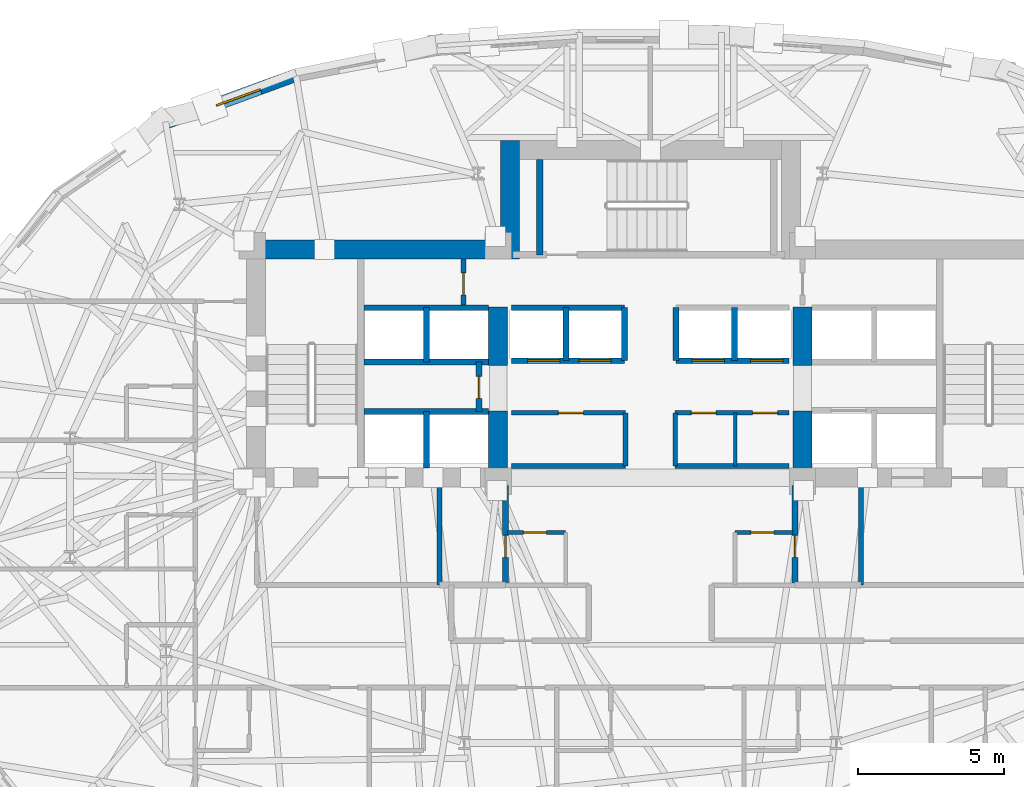
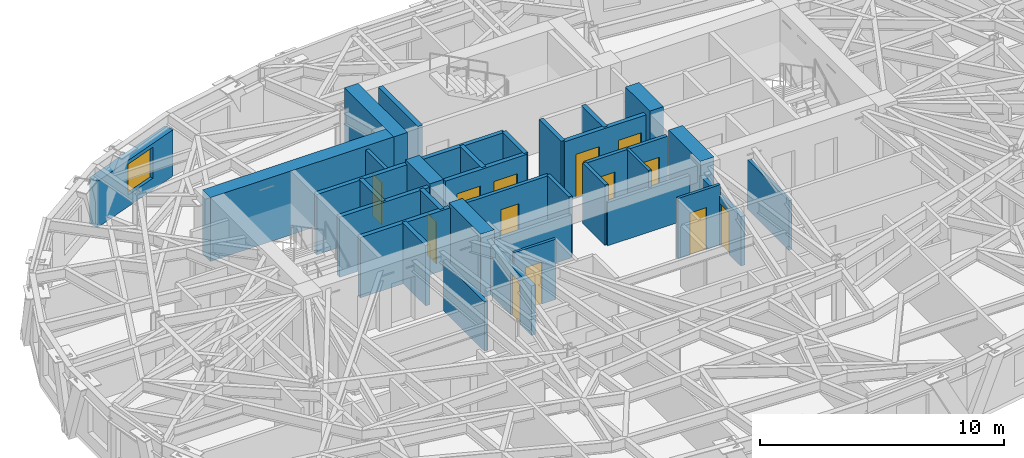
# One storey, part 8 of 15: 35 walls, 13 doors, 1 window, 14 openings.
"""IFC4 building model written with IfcOpenShell, lengths in metres."""

from ifc_helpers import new_model, si_unit, direction, frame, frame_2d, origin, place, context, subcontext, project, spatial, rectangle, extrude, material, layer, layer_set, type_object, element, fill, save


model = new_model("IFC4")

# Units and contexts
model_context = context("Model", 3, precision=1e-05, world=origin(), true_north=direction((0.0, 1.0)))
body_context = subcontext(model_context, "Body", "Model", "MODEL_VIEW")
ifc_project = project(units=[si_unit("LENGTHUNIT", "METRE"), si_unit("AREAUNIT", "SQUARE_METRE"), si_unit("VOLUMEUNIT", "CUBIC_METRE"), si_unit("PLANEANGLEUNIT", "RADIAN"), si_unit("MASSUNIT", "GRAM", prefix="KILO")], contexts=[model_context])

# Site, building, storey
site_placement = place(None, origin())
site = spatial("IfcSite", under=ifc_project, at=site_placement, CompositionType="ELEMENT")
building_placement = place(site_placement, origin())
building = spatial("IfcBuilding", under=site, at=building_placement, Name="Keldmark Tower", CompositionType="ELEMENT")
storey_placement = place(building_placement, frame((0.0, 0.0, 147.0)))
storey = spatial("IfcBuildingStorey", under=building, at=storey_placement, Name="L39", CompositionType="ELEMENT", Elevation=147.0)

# Wall, opening, door
ifc_material_1 = material(Name="Acoustic Gypsum Board Interior Partition", Category="gypsum")
ifc_layer_1 = layer(ifc_material_1, 0.1298828125)
ifc_layer_set_1 = layer_set([ifc_layer_1], Name="Acoustic Gypsum Board Interior Partition")
wall_type_1 = type_object("IfcWallType", Name="Interior Partition 130 mm", PredefinedType="PARTITIONING", material=ifc_layer_set_1)
wall_1_placement = place(storey_placement, frame((-4.8798828125, -0.35009765625, 0.0), z_axis=(0.0, 0.0, 1.0), x_axis=(1.0, 0.0, 0.0)))
wall_1 = element("IfcWall", 1, at=wall_1_placement, inside=storey, type_object=wall_type_1, Name="L39 Interior Partition 130 mm CSC-W-N", PredefinedType="PARTITIONING", context=body_context, shape_type="SweptSolid", body=[
    extrude(rectangle(XDim=1.989990234375, YDim=0.1298828125, at=frame_2d((0.9951171875, 0.0))), origin(), (0.0, 0.0, 1.0), 3.02001953125),
])
opening_1_placement = place(wall_1_placement, frame((0.550048828125, 0.0, 0.0)))
opening_1 = element("IfcOpeningElement", 2, at=opening_1_placement, cuts=wall_1, Name="Opening D-CL078", PredefinedType="OPENING", context=body_context, shape_type="SweptSolid", body=[
    extrude(rectangle(XDim=0.780029296875, YDim=2.10009765625, at=frame_2d((0.39013671875, 1.050048828125))), frame((0.0, 0.074951171875, 0.0), z_axis=(0.0, -1.0, 0.0), x_axis=(1.0, 0.0, 0.0)), (0.0, 0.0, 1.0), 0.14990234375),
])
ifc_material_2 = material(Name="Flush Utility Closet Timber Door", Category="wood")
door_type_1 = type_object("IfcDoorType", Name="Closet Door 780x2100", OperationType="NOTDEFINED", PredefinedType="DOOR", material=ifc_material_2)
door_1_placement = place(opening_1_placement, origin())
door_1 = element("IfcDoor", 3, at=door_1_placement, inside=storey, type_object=door_type_1, Name="L39 Closet Door 780x2100 D-CSCW1-L39", OperationType="SINGLE_SWING_LEFT", OverallHeight=2.10009765625, OverallWidth=0.780029296875, PredefinedType="DOOR", context=body_context, shape_type="SweptSolid", body=[
    extrude(rectangle(XDim=0.780029296875, YDim=2.10009765625, at=frame_2d((0.39013671875, 1.050048828125))), frame((0.0, 0.02490234375, 0.0), z_axis=(0.0, -1.0, 0.0), x_axis=(1.0, 0.0, 0.0)), (0.0, 0.0, 1.0), 0.050048828125),
])
fill(opening_1, door_1)

wall_2_placement = place(storey_placement, frame((2.889892578125, -0.35009765625, 0.0), z_axis=(0.0, 0.0, 1.0), x_axis=(1.0, 0.0, 0.0)))
wall_2 = element("IfcWall", 4, at=wall_2_placement, inside=storey, type_object=wall_type_1, Name="L39 Interior Partition 130 mm CSC-E-N", PredefinedType="PARTITIONING", context=body_context, shape_type="SweptSolid", body=[
    extrude(rectangle(XDim=1.989990234375, YDim=0.1298828125, at=frame_2d((0.9951171875, 0.0))), origin(), (0.0, 0.0, 1.0), 3.02001953125),
])
opening_2_placement = place(wall_2_placement, frame((0.550048828125, 0.0, 0.0)))
opening_2 = element("IfcOpeningElement", 5, at=opening_2_placement, cuts=wall_2, Name="Opening D-CL078", PredefinedType="OPENING", context=body_context, shape_type="SweptSolid", body=[
    extrude(rectangle(XDim=0.780029296875, YDim=2.10009765625, at=frame_2d((0.39013671875, 1.050048828125))), frame((0.0, 0.074951171875, 0.0), z_axis=(0.0, -1.0, 0.0), x_axis=(1.0, 0.0, 0.0)), (0.0, 0.0, 1.0), 0.14990234375),
])
door_2_placement = place(opening_2_placement, origin())
door_2 = element("IfcDoor", 6, at=door_2_placement, inside=storey, type_object=door_type_1, Name="L39 Closet Door 780x2100 D-CSCE1-L39", OperationType="SINGLE_SWING_RIGHT", OverallHeight=2.10009765625, OverallWidth=0.780029296875, PredefinedType="DOOR", context=body_context, shape_type="SweptSolid", body=[
    extrude(rectangle(XDim=0.780029296875, YDim=2.10009765625, at=frame_2d((0.39013671875, 1.050048828125))), frame((0.0, 0.02490234375, 0.0), z_axis=(0.0, -1.0, 0.0), x_axis=(1.0, 0.0, 0.0)), (0.0, 0.0, 1.0), 0.050048828125),
])
fill(opening_2, door_2)

# Walls
wall_3_placement = place(storey_placement, frame((2.89990234375, 1.919921875, 0.0), z_axis=(0.0, 0.0, 1.0), x_axis=(0.0, 1.0, 0.0)))
element("IfcWall", 7, at=wall_3_placement, inside=storey, type_object=wall_type_1, Name="L39 Interior Partition 130 mm REC-LE-M", PredefinedType="PARTITIONING", context=body_context, shape_type="SweptSolid", body=[
    extrude(rectangle(XDim=1.820068359375, YDim=0.1298828125, at=frame_2d((0.91015625, 0.0))), origin(), (0.0, 0.0, 1.0), 3.02001953125),
])
ifc_material_3 = material(Name="Type X Fire-Rated Gypsum Partition Assembly", Category="gypsum")
ifc_layer_2 = layer(ifc_material_3, 0.1650390625)
ifc_layer_set_2 = layer_set([ifc_layer_2], Name="Type X Fire-Rated Gypsum Partition Assembly")
wall_type_2 = type_object("IfcWallType", Name="Rated Partition 165 mm", PredefinedType="PARTITIONING", material=ifc_layer_set_2)
for number, where, z_axis, x_axis, name in (
    (8, (-7.199951171875, -2.14990234375, 0.0), (0.0, 0.0, 1.0), (0.0, 1.0, 0.0), "L39 Rated Partition 165 mm FSAE-W-E"),
    (9, (7.199951171875, -2.14990234375, 0.0), (0.0, 0.0, 1.0), (0.0, 1.0, 0.0), "L39 Rated Partition 165 mm FSAE-E-W"),
):
    element("IfcWall", number, at=place(storey_placement, frame(where, z_axis=z_axis, x_axis=x_axis)), inside=storey, type_object=wall_type_2, Name=name, PredefinedType="PARTITIONING", context=body_context, shape_type="SweptSolid", body=[
        extrude(rectangle(XDim=3.39990234375, YDim=0.1650390625, at=frame_2d((1.699951171875, 0.0))), origin(), (0.0, 0.0, 1.0), 2.472900390625),
    ])
wall_4_placement = place(storey_placement, frame((-4.739990234375, 1.919921875, 0.0), z_axis=(0.0, 0.0, 1.0), x_axis=(1.0, 0.0, 0.0)))
element("IfcWall", 10, at=wall_4_placement, inside=storey, type_object=wall_type_2, Name="L39 Rated Partition 165 mm REC-LW-S", PredefinedType="PARTITIONING", context=body_context, shape_type="SweptSolid", body=[
    extrude(rectangle(XDim=3.889892578125, YDim=0.1650390625, at=frame_2d((1.94482421875, 0.0))), origin(), (0.0, 0.0, 1.0), 2.159912109375),
])

# Wall, opening, door
wall_5_placement = place(storey_placement, frame((-4.739990234375, 3.739990234375, 0.0), z_axis=(0.0, 0.0, 1.0), x_axis=(1.0, 0.0, 0.0)))
wall_5 = element("IfcWall", 11, at=wall_5_placement, inside=storey, type_object=wall_type_2, Name="L39 Rated Partition 165 mm REC-LW-N", PredefinedType="PARTITIONING", context=body_context, shape_type="SweptSolid", body=[
    extrude(rectangle(XDim=3.889892578125, YDim=0.1650390625, at=frame_2d((1.94482421875, 0.0))), origin(), (0.0, 0.0, 1.0), 3.02001953125),
])
opening_3_placement = place(wall_5_placement, frame((1.60009765625, 0.0, 0.0)))
opening_3 = element("IfcOpeningElement", 12, at=opening_3_placement, cuts=wall_5, Name="Opening D-SV085", PredefinedType="OPENING", context=body_context, shape_type="SweptSolid", body=[
    extrude(rectangle(XDim=0.85009765625, YDim=2.10009765625, at=frame_2d((0.425048828125, 1.050048828125))), frame((0.0, 0.092529296875, 0.0), z_axis=(0.0, -1.0, 0.0), x_axis=(1.0, 0.0, 0.0)), (0.0, 0.0, 1.0), 0.18505859375),
])
ifc_material_4 = material(Name="Painted Hollow Metal Door Assembly", Category="metal")
door_type_2 = type_object("IfcDoorType", Name="Service Door 850x2100", OperationType="NOTDEFINED", PredefinedType="DOOR", material=ifc_material_4)
door_3_placement = place(opening_3_placement, origin())
door_3 = element("IfcDoor", 13, at=door_3_placement, inside=storey, type_object=door_type_2, Name="L39 Service Door 850x2100 D-RECLW1-L39", OperationType="SINGLE_SWING_LEFT", OverallHeight=2.10009765625, OverallWidth=0.85009765625, PredefinedType="DOOR", context=body_context, shape_type="SweptSolid", body=[
    extrude(rectangle(XDim=0.85009765625, YDim=2.10009765625, at=frame_2d((0.425048828125, 1.050048828125))), frame((0.0, 0.02490234375, 0.0), z_axis=(0.0, -1.0, 0.0), x_axis=(1.0, 0.0, 0.0)), (0.0, 0.0, 1.0), 0.050048828125),
])
fill(opening_3, door_3)

# Walls
wall_6_placement = place(storey_placement, frame((-0.85009765625, 1.919921875, 0.0), z_axis=(0.0, 0.0, 1.0), x_axis=(0.0, 1.0, 0.0)))
element("IfcWall", 14, at=wall_6_placement, inside=storey, type_object=wall_type_2, Name="L39 Rated Partition 165 mm REC-LW-E", PredefinedType="PARTITIONING", context=body_context, shape_type="SweptSolid", body=[
    extrude(rectangle(XDim=1.820068359375, YDim=0.1650390625, at=frame_2d((0.91015625, 0.0))), origin(), (0.0, 0.0, 1.0), 3.02001953125),
])
wall_7_placement = place(storey_placement, frame((0.85009765625, 1.919921875, 0.0), z_axis=(0.0, 0.0, 1.0), x_axis=(1.0, 0.0, 0.0)))
element("IfcWall", 15, at=wall_7_placement, inside=storey, type_object=wall_type_2, Name="L39 Rated Partition 165 mm REC-LE-S", PredefinedType="PARTITIONING", context=body_context, shape_type="SweptSolid", body=[
    extrude(rectangle(XDim=3.889892578125, YDim=0.1650390625, at=frame_2d((1.94482421875, 0.0))), origin(), (0.0, 0.0, 1.0), 2.159912109375),
])

# Wall, openings, doors
wall_8_placement = place(storey_placement, frame((0.85009765625, 3.739990234375, 0.0), z_axis=(0.0, 0.0, 1.0), x_axis=(1.0, 0.0, 0.0)))
wall_8 = element("IfcWall", 16, at=wall_8_placement, inside=storey, type_object=wall_type_2, Name="L39 Rated Partition 165 mm REC-LE-N", PredefinedType="PARTITIONING", context=body_context, shape_type="SweptSolid", body=[
    extrude(rectangle(XDim=3.889892578125, YDim=0.1650390625, at=frame_2d((1.94482421875, 0.0))), origin(), (0.0, 0.0, 1.0), 3.02001953125),
])
opening_4_placement = place(wall_8_placement, frame((0.550048828125, 0.0, 0.0)))
opening_4 = element("IfcOpeningElement", 17, at=opening_4_placement, cuts=wall_8, Name="Opening D-SV085", PredefinedType="OPENING", context=body_context, shape_type="SweptSolid", body=[
    extrude(rectangle(XDim=0.85009765625, YDim=2.10009765625, at=frame_2d((0.425048828125, 1.050048828125))), frame((0.0, 0.092529296875, 0.0), z_axis=(0.0, -1.0, 0.0), x_axis=(1.0, 0.0, 0.0)), (0.0, 0.0, 1.0), 0.18505859375),
])
opening_5_placement = place(wall_8_placement, frame((2.64990234375, 0.0, 0.0)))
opening_5 = element("IfcOpeningElement", 18, at=opening_5_placement, cuts=wall_8, Name="Opening D-SV085", PredefinedType="OPENING", context=body_context, shape_type="SweptSolid", body=[
    extrude(rectangle(XDim=0.85009765625, YDim=2.10009765625, at=frame_2d((0.425048828125, 1.050048828125))), frame((0.0, 0.092529296875, 0.0), z_axis=(0.0, -1.0, 0.0), x_axis=(1.0, 0.0, 0.0)), (0.0, 0.0, 1.0), 0.18505859375),
])
door_4_placement = place(opening_4_placement, origin())
door_4 = element("IfcDoor", 19, at=door_4_placement, inside=storey, type_object=door_type_2, Name="L39 Service Door 850x2100 D-RECLE1-L39", OperationType="SINGLE_SWING_LEFT", OverallHeight=2.10009765625, OverallWidth=0.85009765625, PredefinedType="DOOR", context=body_context, shape_type="SweptSolid", body=[
    extrude(rectangle(XDim=0.85009765625, YDim=2.10009765625, at=frame_2d((0.425048828125, 1.050048828125))), frame((0.0, 0.02490234375, 0.0), z_axis=(0.0, -1.0, 0.0), x_axis=(1.0, 0.0, 0.0)), (0.0, 0.0, 1.0), 0.050048828125),
])
fill(opening_4, door_4)
door_5_placement = place(opening_5_placement, origin())
door_5 = element("IfcDoor", 20, at=door_5_placement, inside=storey, type_object=door_type_2, Name="L39 Service Door 850x2100 D-RECLE2-L39", OperationType="SINGLE_SWING_RIGHT", OverallHeight=2.10009765625, OverallWidth=0.85009765625, PredefinedType="DOOR", context=body_context, shape_type="SweptSolid", body=[
    extrude(rectangle(XDim=0.85009765625, YDim=2.10009765625, at=frame_2d((0.425048828125, 1.050048828125))), frame((0.0, 0.02490234375, 0.0), z_axis=(0.0, -1.0, 0.0), x_axis=(1.0, 0.0, 0.0)), (0.0, 0.0, 1.0), 0.050048828125),
])
fill(opening_5, door_5)

# Wall
wall_9_placement = place(storey_placement, frame((0.85009765625, 1.919921875, 0.0), z_axis=(0.0, 0.0, 1.0), x_axis=(0.0, 1.0, 0.0)))
element("IfcWall", 21, at=wall_9_placement, inside=storey, type_object=wall_type_2, Name="L39 Rated Partition 165 mm REC-LE-W", PredefinedType="PARTITIONING", context=body_context, shape_type="SweptSolid", body=[
    extrude(rectangle(XDim=1.820068359375, YDim=0.1650390625, at=frame_2d((0.91015625, 0.0))), origin(), (0.0, 0.0, 1.0), 3.02001953125),
])

# Wall, opening, door
wall_10_placement = place(storey_placement, frame((-6.3798828125, 7.419921875, 0.0), z_axis=(0.0, 0.0, 1.0), x_axis=(0.0, 1.0, 0.0)))
wall_10 = element("IfcWall", 22, at=wall_10_placement, inside=storey, type_object=wall_type_2, Name="L39 Rated Partition 165 mm CS-NW-E", PredefinedType="PARTITIONING", context=body_context, shape_type="SweptSolid", body=[
    extrude(rectangle(XDim=1.580078125, YDim=0.1650390625, at=frame_2d((0.7900390625, 0.0))), origin(), (0.0, 0.0, 1.0), 3.02001953125),
])
opening_6_placement = place(wall_10_placement, frame((0.35009765625, 0.0, 0.0)))
opening_6 = element("IfcOpeningElement", 23, at=opening_6_placement, cuts=wall_10, Name="Opening D-RS075", PredefinedType="OPENING", context=body_context, shape_type="SweptSolid", body=[
    extrude(rectangle(XDim=0.75, YDim=2.10009765625, at=frame_2d((0.375, 1.050048828125))), frame((0.0, 0.092529296875, 0.0), z_axis=(0.0, -1.0, 0.0), x_axis=(1.0, 0.0, 0.0)), (0.0, 0.0, 1.0), 0.18505859375),
])
ifc_material_5 = material(Name="Galvanized Fire-Rated Access Leaf", Category="metal")
door_type_3 = type_object("IfcDoorType", Name="Riser Access Door 750x2100", OperationType="NOTDEFINED", PredefinedType="DOOR", material=ifc_material_5)
door_6_placement = place(opening_6_placement, origin())
door_6 = element("IfcDoor", 24, at=door_6_placement, inside=storey, type_object=door_type_3, Name="L39 Riser Access Door 750x2100 D-CSNW1-L39", OperationType="SINGLE_SWING_RIGHT", OverallHeight=2.10009765625, OverallWidth=0.75, PredefinedType="DOOR", context=body_context, shape_type="SweptSolid", body=[
    extrude(rectangle(XDim=0.75, YDim=2.10009765625, at=frame_2d((0.375, 1.050048828125))), frame((0.0, 0.02490234375, 0.0), z_axis=(0.0, -1.0, 0.0), x_axis=(1.0, 0.0, 0.0)), (0.0, 0.0, 1.0), 0.050048828125),
])
fill(opening_6, door_6)

ifc_material_6 = material(Name="Fire-Resistant Type X Gypsum Shaftliner Coreboard", Category="gypsum")
ifc_layer_3 = layer(ifc_material_6, 0.199951171875)
ifc_layer_set_3 = layer_set([ifc_layer_3], Name="Fire-Resistant Type X Gypsum Shaftliner Coreboard")
wall_type_3 = type_object("IfcWallType", Name="Shaft Wall 200 mm", PredefinedType="SOLIDWALL", material=ifc_layer_set_3)
wall_11_placement = place(storey_placement, frame((-4.949951171875, -2.14990234375, 0.0), z_axis=(0.0, 0.0, 1.0), x_axis=(0.0, 1.0, 0.0)))
wall_11 = element("IfcWall", 25, at=wall_11_placement, inside=storey, type_object=wall_type_3, Name="L39 Shaft Wall 200 mm RIS-SW-E", PredefinedType="SOLIDWALL", context=body_context, shape_type="SweptSolid", body=[
    extrude(rectangle(XDim=3.39990234375, YDim=0.199951171875, at=frame_2d((1.699951171875, 0.0))), origin(), (0.0, 0.0, 1.0), 2.472900390625),
])
opening_7_placement = place(wall_11_placement, frame((0.949951171875, 0.0, 0.0)))
opening_7 = element("IfcOpeningElement", 26, at=opening_7_placement, cuts=wall_11, Name="Opening D-RS075", PredefinedType="OPENING", context=body_context, shape_type="SweptSolid", body=[
    extrude(rectangle(XDim=0.75, YDim=2.10009765625, at=frame_2d((0.375, 1.050048828125))), frame((0.0, 0.10986328125, 0.0), z_axis=(0.0, -1.0, 0.0), x_axis=(1.0, 0.0, 0.0)), (0.0, 0.0, 1.0), 0.219970703125),
])
door_7_placement = place(opening_7_placement, origin())
door_7 = element("IfcDoor", 27, at=door_7_placement, inside=storey, type_object=door_type_3, Name="L39 Riser Access Door 750x2100 D-RISSW-L39", OperationType="SINGLE_SWING_RIGHT", OverallHeight=2.10009765625, OverallWidth=0.75, PredefinedType="DOOR", context=body_context, shape_type="SweptSolid", body=[
    extrude(rectangle(XDim=0.75, YDim=2.10009765625, at=frame_2d((0.375, 1.050048828125))), frame((0.0, 0.02490234375, 0.0), z_axis=(0.0, -1.0, 0.0), x_axis=(1.0, 0.0, 0.0)), (0.0, 0.0, 1.0), 0.050048828125),
])
fill(opening_7, door_7)

wall_12_placement = place(storey_placement, frame((4.949951171875, -2.14990234375, 0.0), z_axis=(0.0, 0.0, 1.0), x_axis=(0.0, 1.0, 0.0)))
wall_12 = element("IfcWall", 28, at=wall_12_placement, inside=storey, type_object=wall_type_3, Name="L39 Shaft Wall 200 mm RIS-SE-W", PredefinedType="SOLIDWALL", context=body_context, shape_type="SweptSolid", body=[
    extrude(rectangle(XDim=3.39990234375, YDim=0.199951171875, at=frame_2d((1.699951171875, 0.0))), origin(), (0.0, 0.0, 1.0), 2.472900390625),
])
opening_8_placement = place(wall_12_placement, frame((0.949951171875, 0.0, 0.0)))
opening_8 = element("IfcOpeningElement", 29, at=opening_8_placement, cuts=wall_12, Name="Opening D-RS075", PredefinedType="OPENING", context=body_context, shape_type="SweptSolid", body=[
    extrude(rectangle(XDim=0.75, YDim=2.10009765625, at=frame_2d((0.375, 1.050048828125))), frame((0.0, 0.10986328125, 0.0), z_axis=(0.0, -1.0, 0.0), x_axis=(1.0, 0.0, 0.0)), (0.0, 0.0, 1.0), 0.219970703125),
])
door_8_placement = place(opening_8_placement, origin())
door_8 = element("IfcDoor", 30, at=door_8_placement, inside=storey, type_object=door_type_3, Name="L39 Riser Access Door 750x2100 D-RISSE-L39", OperationType="SINGLE_SWING_LEFT", OverallHeight=2.10009765625, OverallWidth=0.75, PredefinedType="DOOR", context=body_context, shape_type="SweptSolid", body=[
    extrude(rectangle(XDim=0.75, YDim=2.10009765625, at=frame_2d((0.375, 1.050048828125))), frame((0.0, 0.02490234375, 0.0), z_axis=(0.0, -1.0, 0.0), x_axis=(1.0, 0.0, 0.0)), (0.0, 0.0, 1.0), 0.050048828125),
])
fill(opening_8, door_8)

# Walls
wall_13_placement = place(storey_placement, frame((-9.780029296875, 3.780029296875, 0.0), z_axis=(0.0, 0.0, 1.0), x_axis=(1.0, 0.0, 0.0)))
element("IfcWall", 31, at=wall_13_placement, inside=storey, type_object=wall_type_3, Name="L39 Shaft Wall 200 mm HW-W-S", PredefinedType="SOLIDWALL", context=body_context, shape_type="SweptSolid", body=[
    extrude(rectangle(XDim=4.255126953125, YDim=0.199951171875, at=frame_2d((2.12744140625, 0.0))), origin(), (0.0, 0.0, 1.0), 3.02001953125),
])
wall_14_placement = place(storey_placement, frame((-7.64990234375, 1.85009765625, 0.0), z_axis=(0.0, 0.0, 1.0), x_axis=(0.0, 1.0, 0.0)))
element("IfcWall", 32, at=wall_14_placement, inside=storey, type_object=wall_type_3, Name="L39 Shaft Wall 200 mm HW-W-M", PredefinedType="SOLIDWALL", context=body_context, shape_type="SweptSolid", body=[
    extrude(rectangle(XDim=1.929931640625, YDim=0.199951171875, at=frame_2d((0.96484375, 0.0))), origin(), (0.0, 0.0, 1.0), 3.02001953125),
])
for number, where, z_axis, x_axis, name in (
    (33, (-9.780029296875, 5.469970703125, 0.0), (0.0, 0.0, 1.0), (1.0, 0.0, 0.0), "L39 Shaft Wall 200 mm HW-W-N"),
    (34, (-9.780029296875, 7.330078125, 0.0), (0.0, 0.0, 1.0), (1.0, 0.0, 0.0), "L39 Shaft Wall 200 mm HW-W-TOP"),
):
    element("IfcWall", number, at=place(storey_placement, frame(where, z_axis=z_axis, x_axis=x_axis)), inside=storey, type_object=wall_type_3, Name=name, PredefinedType="SOLIDWALL", context=body_context, shape_type="SweptSolid", body=[
        extrude(rectangle(XDim=4.255126953125, YDim=0.199951171875, at=frame_2d((2.12744140625, 0.0))), origin(), (0.0, 0.0, 1.0), 3.02001953125),
    ])
wall_15_placement = place(storey_placement, frame((-7.64990234375, 5.469970703125, 0.0), z_axis=(0.0, 0.0, 1.0), x_axis=(0.0, 1.0, 0.0)))
element("IfcWall", 35, at=wall_15_placement, inside=storey, type_object=wall_type_3, Name="L39 Shaft Wall 200 mm HW-W-NM", PredefinedType="SOLIDWALL", context=body_context, shape_type="SweptSolid", body=[
    extrude(rectangle(XDim=1.860107421875, YDim=0.199951171875, at=frame_2d((0.93017578125, 0.0))), origin(), (0.0, 0.0, 1.0), 3.02001953125),
])

# Wall, opening, door
wall_16_placement = place(storey_placement, frame((-5.85009765625, 3.780029296875, 0.0), z_axis=(0.0, 0.0, 1.0), x_axis=(0.0, 1.0, 0.0)))
wall_16 = element("IfcWall", 36, at=wall_16_placement, inside=storey, type_object=wall_type_3, Name="L39 Shaft Wall 200 mm HW-W-CLOSE", PredefinedType="SOLIDWALL", context=body_context, shape_type="SweptSolid", body=[
    extrude(rectangle(XDim=1.68994140625, YDim=0.199951171875, at=frame_2d((0.844970703125, 0.0))), origin(), (0.0, 0.0, 1.0), 3.02001953125),
])
opening_9_placement = place(wall_16_placement, frame((0.449951171875, 0.0, 0.0)))
opening_9 = element("IfcOpeningElement", 37, at=opening_9_placement, cuts=wall_16, Name="Opening D-RS075", PredefinedType="OPENING", context=body_context, shape_type="SweptSolid", body=[
    extrude(rectangle(XDim=0.75, YDim=2.10009765625, at=frame_2d((0.375, 1.050048828125))), frame((0.0, 0.10986328125, 0.0), z_axis=(0.0, -1.0, 0.0), x_axis=(1.0, 0.0, 0.0)), (0.0, 0.0, 1.0), 0.219970703125),
])
door_9_placement = place(opening_9_placement, origin())
door_9 = element("IfcDoor", 38, at=door_9_placement, inside=storey, type_object=door_type_3, Name="L39 Riser Access Door 750x2100 D-RISHW-L39", OperationType="SINGLE_SWING_RIGHT", OverallHeight=2.10009765625, OverallWidth=0.75, PredefinedType="DOOR", context=body_context, shape_type="SweptSolid", body=[
    extrude(rectangle(XDim=0.75, YDim=2.10009765625, at=frame_2d((0.375, 1.050048828125))), frame((0.0, 0.02490234375, 0.0), z_axis=(0.0, -1.0, 0.0), x_axis=(1.0, 0.0, 0.0)), (0.0, 0.0, 1.0), 0.050048828125),
])
fill(opening_9, door_9)

# Wall, openings, doors
wall_17_placement = place(storey_placement, frame((-4.739990234375, 5.52001953125, 0.0), z_axis=(0.0, 0.0, 1.0), x_axis=(1.0, 0.0, 0.0)))
wall_17 = element("IfcWall", 39, at=wall_17_placement, inside=storey, type_object=wall_type_3, Name="L39 Shaft Wall 200 mm MID-S-W", PredefinedType="SOLIDWALL", context=body_context, shape_type="SweptSolid", body=[
    extrude(rectangle(XDim=3.860107421875, YDim=0.199951171875, at=frame_2d((1.93017578125, 0.0))), origin(), (0.0, 0.0, 1.0), 3.02001953125),
])
opening_10_placement = place(wall_17_placement, frame((0.550048828125, 0.0, 0.0)))
opening_10 = element("IfcOpeningElement", 40, at=opening_10_placement, cuts=wall_17, Name="Opening LD-110", PredefinedType="OPENING", context=body_context, shape_type="SweptSolid", body=[
    extrude(rectangle(XDim=1.10009765625, YDim=2.199951171875, at=frame_2d((0.550048828125, 1.10009765625))), frame((0.0, 0.10986328125, 0.0), z_axis=(0.0, -1.0, 0.0), x_axis=(1.0, 0.0, 0.0)), (0.0, 0.0, 1.0), 0.219970703125),
])
opening_11_placement = place(wall_17_placement, frame((2.300048828125, 0.0, 0.0)))
opening_11 = element("IfcOpeningElement", 41, at=opening_11_placement, cuts=wall_17, Name="Opening LD-110", PredefinedType="OPENING", context=body_context, shape_type="SweptSolid", body=[
    extrude(rectangle(XDim=1.10009765625, YDim=2.199951171875, at=frame_2d((0.550048828125, 1.10009765625))), frame((0.0, 0.10986328125, 0.0), z_axis=(0.0, -1.0, 0.0), x_axis=(1.0, 0.0, 0.0)), (0.0, 0.0, 1.0), 0.219970703125),
])
ifc_material_7 = material(Name="Brushed Bronze Hoistway Sliding Leaf", Category="metal")
door_type_4 = type_object("IfcDoorType", Name="Lift Landing Sliding Door 1100x2200", OperationType="SLIDING_TO_LEFT", PredefinedType="DOOR", material=ifc_material_7)
door_10_placement = place(opening_10_placement, origin())
door_10 = element("IfcDoor", 42, at=door_10_placement, inside=storey, type_object=door_type_4, Name="L39 Lift Landing Sliding Door 1100x2200 LD-EL-M1-L39", OperationType="SLIDING_TO_LEFT", OverallHeight=2.199951171875, OverallWidth=1.10009765625, PredefinedType="DOOR", context=body_context, shape_type="SweptSolid", body=[
    extrude(rectangle(XDim=1.10009765625, YDim=2.199951171875, at=frame_2d((0.550048828125, 1.10009765625))), frame((0.0, 0.02490234375, 0.0), z_axis=(0.0, -1.0, 0.0), x_axis=(1.0, 0.0, 0.0)), (0.0, 0.0, 1.0), 0.050048828125),
])
fill(opening_10, door_10)
door_11_placement = place(opening_11_placement, origin())
door_11 = element("IfcDoor", 43, at=door_11_placement, inside=storey, type_object=door_type_4, Name="L39 Lift Landing Sliding Door 1100x2200 LD-EL-M2-L39", OperationType="SLIDING_TO_LEFT", OverallHeight=2.199951171875, OverallWidth=1.10009765625, PredefinedType="DOOR", context=body_context, shape_type="SweptSolid", body=[
    extrude(rectangle(XDim=1.10009765625, YDim=2.199951171875, at=frame_2d((0.550048828125, 1.10009765625))), frame((0.0, 0.02490234375, 0.0), z_axis=(0.0, -1.0, 0.0), x_axis=(1.0, 0.0, 0.0)), (0.0, 0.0, 1.0), 0.050048828125),
])
fill(opening_11, door_11)

wall_18_placement = place(storey_placement, frame((0.8798828125, 5.52001953125, 0.0), z_axis=(0.0, 0.0, 1.0), x_axis=(1.0, 0.0, 0.0)))
wall_18 = element("IfcWall", 44, at=wall_18_placement, inside=storey, type_object=wall_type_3, Name="L39 Shaft Wall 200 mm MID-S-E", PredefinedType="SOLIDWALL", context=body_context, shape_type="SweptSolid", body=[
    extrude(rectangle(XDim=3.860107421875, YDim=0.199951171875, at=frame_2d((1.93017578125, 0.0))), origin(), (0.0, 0.0, 1.0), 3.02001953125),
])
opening_12_placement = place(wall_18_placement, frame((0.550048828125, 0.0, 0.0)))
opening_12 = element("IfcOpeningElement", 45, at=opening_12_placement, cuts=wall_18, Name="Opening LD-110", PredefinedType="OPENING", context=body_context, shape_type="SweptSolid", body=[
    extrude(rectangle(XDim=1.10009765625, YDim=2.199951171875, at=frame_2d((0.550048828125, 1.10009765625))), frame((0.0, 0.10986328125, 0.0), z_axis=(0.0, -1.0, 0.0), x_axis=(1.0, 0.0, 0.0)), (0.0, 0.0, 1.0), 0.219970703125),
])
opening_13_placement = place(wall_18_placement, frame((2.550048828125, 0.0, 0.0)))
opening_13 = element("IfcOpeningElement", 46, at=opening_13_placement, cuts=wall_18, Name="Opening LD-110", PredefinedType="OPENING", context=body_context, shape_type="SweptSolid", body=[
    extrude(rectangle(XDim=1.10009765625, YDim=2.199951171875, at=frame_2d((0.550048828125, 1.10009765625))), frame((0.0, 0.10986328125, 0.0), z_axis=(0.0, -1.0, 0.0), x_axis=(1.0, 0.0, 0.0)), (0.0, 0.0, 1.0), 0.219970703125),
])
door_12_placement = place(opening_12_placement, origin())
door_12 = element("IfcDoor", 47, at=door_12_placement, inside=storey, type_object=door_type_4, Name="L39 Lift Landing Sliding Door 1100x2200 LD-EL-M3-L39", OperationType="SLIDING_TO_LEFT", OverallHeight=2.199951171875, OverallWidth=1.10009765625, PredefinedType="DOOR", context=body_context, shape_type="SweptSolid", body=[
    extrude(rectangle(XDim=1.10009765625, YDim=2.199951171875, at=frame_2d((0.550048828125, 1.10009765625))), frame((0.0, 0.02490234375, 0.0), z_axis=(0.0, -1.0, 0.0), x_axis=(1.0, 0.0, 0.0)), (0.0, 0.0, 1.0), 0.050048828125),
])
fill(opening_12, door_12)
door_13_placement = place(opening_13_placement, origin())
door_13 = element("IfcDoor", 48, at=door_13_placement, inside=storey, type_object=door_type_4, Name="L39 Lift Landing Sliding Door 1100x2200 LD-EL-M4-L39", OperationType="SLIDING_TO_LEFT", OverallHeight=2.199951171875, OverallWidth=1.10009765625, PredefinedType="DOOR", context=body_context, shape_type="SweptSolid", body=[
    extrude(rectangle(XDim=1.10009765625, YDim=2.199951171875, at=frame_2d((0.550048828125, 1.10009765625))), frame((0.0, 0.02490234375, 0.0), z_axis=(0.0, -1.0, 0.0), x_axis=(1.0, 0.0, 0.0)), (0.0, 0.0, 1.0), 0.050048828125),
])
fill(opening_13, door_13)

# Walls
wall_19_placement = place(storey_placement, frame((-4.739990234375, 7.330078125, 0.0), z_axis=(0.0, 0.0, 1.0), x_axis=(1.0, 0.0, 0.0)))
element("IfcWall", 49, at=wall_19_placement, inside=storey, type_object=wall_type_3, Name="L39 Shaft Wall 200 mm MID-N-W", PredefinedType="SOLIDWALL", context=body_context, shape_type="SweptSolid", body=[
    extrude(rectangle(XDim=3.860107421875, YDim=0.199951171875, at=frame_2d((1.93017578125, 0.0))), origin(), (0.0, 0.0, 1.0), 3.02001953125),
])
for number, where, z_axis, x_axis, name in (
    (50, (-2.8798828125, 5.52001953125, 0.0), (0.0, 0.0, 1.0), (0.0, 1.0, 0.0), "L39 Shaft Wall 200 mm MID-M-W"),
    (51, (2.8798828125, 5.52001953125, 0.0), (0.0, 0.0, 1.0), (0.0, 1.0, 0.0), "L39 Shaft Wall 200 mm MID-M-E"),
    (52, (-0.8798828125, 5.52001953125, 0.0), (0.0, 0.0, 1.0), (0.0, 1.0, 0.0), "L39 Shaft Wall 200 mm MID-C-W"),
    (53, (0.8798828125, 5.52001953125, 0.0), (0.0, 0.0, 1.0), (0.0, 1.0, 0.0), "L39 Shaft Wall 200 mm MID-C-E"),
):
    element("IfcWall", number, at=place(storey_placement, frame(where, z_axis=z_axis, x_axis=x_axis)), inside=storey, type_object=wall_type_3, Name=name, PredefinedType="SOLIDWALL", context=body_context, shape_type="SweptSolid", body=[
        extrude(rectangle(XDim=1.81005859375, YDim=0.199951171875, at=frame_2d((0.905029296875, 0.0))), origin(), (0.0, 0.0, 1.0), 3.02001953125),
    ])
ifc_material_8 = material(Name="Concrete C50/60", Category="concrete")
ifc_layer_4 = layer(ifc_material_8, 0.219970703125)
ifc_layer_set_4 = layer_set([ifc_layer_4], Name="Concrete C50/60")
wall_type_4 = type_object("IfcWallType", Name="Stair Core Shear Wall 220 mm", PredefinedType="SHEAR", material=ifc_layer_set_4)
wall_20_placement = place(storey_placement, frame((-3.784912109375, 9.139892578125, 0.0), z_axis=(0.0, 0.0, 1.0), x_axis=(0.0, 1.0, 0.0)))
element("IfcWall", 54, at=wall_20_placement, inside=storey, type_object=wall_type_4, Name="L39 Central Stair Core West Shear Wall", PredefinedType="SHEAR", context=body_context, shape_type="SweptSolid", body=[
    extrude(rectangle(XDim=3.260009765625, YDim=0.219970703125, at=frame_2d((1.6298828125, 0.0))), origin(), (0.0, 0.0, 1.0), 3.199951171875),
])

# Wall, opening, window
ifc_material_9 = material(Name="Ironspot Manganese Brick and Kasota Buff Limestone Spandrel Assembly", Category="masonry")
ifc_layer_5 = layer(ifc_material_9, 0.43994140625)
ifc_layer_set_5 = layer_set([ifc_layer_5], Name="Ironspot Manganese Brick and Kasota Buff Limestone Spandrel Assembly")
wall_type_5 = type_object("IfcWallType", Name="Tower Brick Pier and Spandrel Wall 440 mm", PredefinedType="STANDARD", material=ifc_layer_set_5)
wall_21_placement = place(storey_placement, frame((-16.65966796875, 13.615478515625, 0.0), z_axis=(0.0, 0.0, 1.0), x_axis=(0.939349296455, 0.342961950147, 0.0)))
wall_21 = element("IfcWall", 55, at=wall_21_placement, inside=storey, type_object=wall_type_5, Name="L39 Exterior Brick and Spandrel Wall 11", PredefinedType="STANDARD", context=body_context, shape_type="SweptSolid", body=[
    extrude(rectangle(XDim=4.823486328125, YDim=0.43994140625, at=frame_2d((2.41162109375, 0.0))), origin(), (0.0, 0.0, 1.0), 2.31494140625),
])
opening_14_placement = place(wall_21_placement, frame((1.933837890625, 0.0, 0.580078125)))
opening_14 = element("IfcOpeningElement", 56, at=opening_14_placement, cuts=wall_21, Name="Opening W-04", PredefinedType="OPENING", context=body_context, shape_type="SweptSolid", body=[
    extrude(rectangle(XDim=1.60009765625, YDim=1.550048828125, at=frame_2d((0.800048828125, 0.77490234375))), frame((0.0, 0.22998046875, 0.0), z_axis=(0.0, -1.0, 0.0), x_axis=(1.0, 0.0, 0.0)), (0.0, 0.0, 1.0), 0.4599609375),
])
ifc_material_10 = material(Name="Thermally Broken Anodized Aluminum and Triple Low-E Argon Glazing", Category="aluminium")
window_type = type_object("IfcWindowType", Name="Hotel Deep-Set Operable Window 1600x1550", PartitioningType="DOUBLE_PANEL_HORIZONTAL", PredefinedType="WINDOW", material=ifc_material_10)
window_placement = place(opening_14_placement, origin())
window = element("IfcWindow", 57, at=window_placement, inside=storey, type_object=window_type, Name="L39 Deep-Set Window 11", OverallHeight=1.550048828125, OverallWidth=1.60009765625, PartitioningType="SINGLE_PANEL", PredefinedType="WINDOW", context=body_context, shape_type="SweptSolid", body=[
    extrude(rectangle(XDim=1.60009765625, YDim=1.550048828125, at=frame_2d((0.800048828125, 0.77490234375))), frame((0.0, -0.010009765625, 0.0), z_axis=(0.0, -1.0, 0.0), x_axis=(1.0, 0.0, 0.0)), (0.0, 0.0, 1.0), 0.06005859375),
])
fill(opening_14, window)

# Walls
ifc_material_11 = material(Name="Concrete C50/60", Category="concrete")
ifc_layer_6 = layer(ifc_material_11, 0.64990234375)
ifc_layer_set_6 = layer_set([ifc_layer_6], Name="Concrete C50/60")
wall_type_6 = type_object("IfcWallType", Name="Upper-Mid Core Shear Wall 650 mm", PredefinedType="SHEAR", material=ifc_layer_set_6)
wall_22_placement = place(storey_placement, frame((-13.800048828125, 9.324951171875, 0.0), z_axis=(0.0, 0.0, 1.0), x_axis=(1.0, 0.0, 0.0)))
element("IfcWall", 58, at=wall_22_placement, inside=storey, type_object=wall_type_6, Name="L39 West Core North Shear Wall", PredefinedType="SHEAR", context=body_context, shape_type="SweptSolid", body=[
    extrude(rectangle(XDim=9.324951171875, YDim=0.64990234375, at=frame_2d((4.66259765625, 0.0))), origin(), (0.0, 0.0, 1.0), 3.199951171875),
])
wall_23_placement = place(storey_placement, frame((-5.199951171875, 1.199951171875, 0.0), z_axis=(0.0, 0.0, 1.0), x_axis=(0.0, 1.0, 0.0)))
element("IfcWall", 59, at=wall_23_placement, inside=storey, type_object=wall_type_6, Name="L39 West Core Inner Shear Pier South", PredefinedType="SHEAR", context=body_context, shape_type="SweptSolid", body=[
    extrude(rectangle(XDim=2.60009765625, YDim=0.64990234375, at=frame_2d((1.300048828125, 0.0))), origin(), (0.0, 0.0, 1.0), 3.199951171875),
])
wall_24_placement = place(storey_placement, frame((-5.199951171875, 5.35009765625, 0.0), z_axis=(0.0, 0.0, 1.0), x_axis=(0.0, 1.0, 0.0)))
element("IfcWall", 60, at=wall_24_placement, inside=storey, type_object=wall_type_6, Name="L39 West Core Inner Shear Pier North", PredefinedType="SHEAR", context=body_context, shape_type="SweptSolid", body=[
    extrude(rectangle(XDim=2.0, YDim=0.64990234375, at=frame_2d((1.0, 0.0))), origin(), (0.0, 0.0, 1.0), 3.199951171875),
])
wall_25_placement = place(storey_placement, frame((5.199951171875, 1.199951171875, 0.0), z_axis=(0.0, 0.0, 1.0), x_axis=(0.0, 1.0, 0.0)))
element("IfcWall", 61, at=wall_25_placement, inside=storey, type_object=wall_type_6, Name="L39 East Core Inner Shear Pier South", PredefinedType="SHEAR", context=body_context, shape_type="SweptSolid", body=[
    extrude(rectangle(XDim=2.60009765625, YDim=0.64990234375, at=frame_2d((1.300048828125, 0.0))), origin(), (0.0, 0.0, 1.0), 3.199951171875),
])
wall_26_placement = place(storey_placement, frame((5.199951171875, 5.35009765625, 0.0), z_axis=(0.0, 0.0, 1.0), x_axis=(0.0, 1.0, 0.0)))
element("IfcWall", 62, at=wall_26_placement, inside=storey, type_object=wall_type_6, Name="L39 East Core Inner Shear Pier North", PredefinedType="SHEAR", context=body_context, shape_type="SweptSolid", body=[
    extrude(rectangle(XDim=2.0, YDim=0.64990234375, at=frame_2d((1.0, 0.0))), origin(), (0.0, 0.0, 1.0), 3.199951171875),
])
wall_27_placement = place(storey_placement, frame((-4.800048828125, 9.0, 0.0), z_axis=(0.0, 0.0, 1.0), x_axis=(0.0, 1.0, 0.0)))
element("IfcWall", 63, at=wall_27_placement, inside=storey, type_object=wall_type_6, Name="L39 North Core West Shear Wall", PredefinedType="SHEAR", context=body_context, shape_type="SweptSolid", body=[
    extrude(rectangle(XDim=4.050048828125, YDim=0.64990234375, at=frame_2d((2.02490234375, 0.0))), origin(), (0.0, 0.0, 1.0), 3.199951171875),
])

save(model, "model.ifc")
